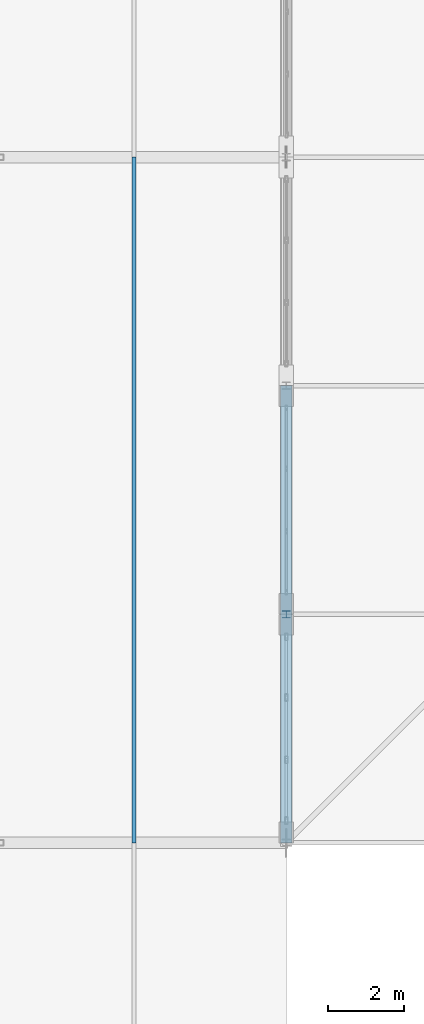
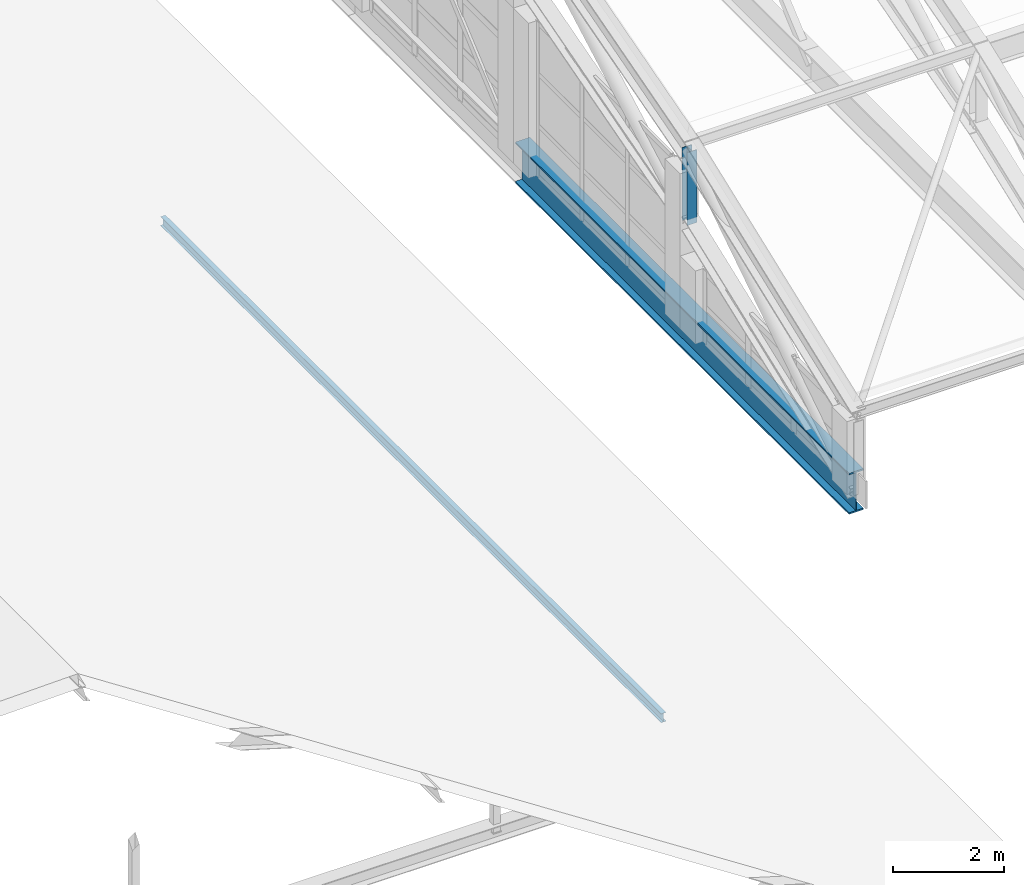
# One storey, part 72 of 204: 3 members.
"""IFC4 building model written with IfcOpenShell, lengths in metres."""

from ifc_helpers import new_model, si_unit, direction, frame, origin, origin_2d, place, context, subcontext, project, spatial, i_section, extrude, material, material_profile, profile_set, type_object, element, save


model = new_model("IFC4")

# Units and contexts
model_context = context("Model", 3, precision=1e-05, world=origin(), true_north=direction((0.0, 1.0)))
body_context = subcontext(model_context, "Body", "Model", "MODEL_VIEW")
ifc_project = project(units=[si_unit("LENGTHUNIT", "METRE"), si_unit("AREAUNIT", "SQUARE_METRE"), si_unit("VOLUMEUNIT", "CUBIC_METRE"), si_unit("PLANEANGLEUNIT", "RADIAN"), si_unit("MASSUNIT", "GRAM", prefix="KILO")], contexts=[model_context])

# Site, building, storey
site_placement = place(None, origin())
site = spatial("IfcSite", under=ifc_project, at=site_placement, CompositionType="ELEMENT")
building_placement = place(site_placement, origin())
building = spatial("IfcBuilding", under=site, at=building_placement, Name="Zilviju Railside Exhibition Hall", CompositionType="ELEMENT")
storey_placement = place(building_placement, frame((0.0, 0.0, 21.0)))
storey = spatial("IfcBuildingStorey", under=building, at=storey_placement, Name="RF", CompositionType="ELEMENT", Elevation=21.0)

# Members
ifc_material_1 = material(Name="Steel S355ML", Category="steel")
ifc_material_profile_1 = material_profile(ifc_material_1, i_section(OverallWidth=0.199951171875, OverallDepth=0.18994140625, WebThickness=0.006591796875, FlangeThickness=0.010009765625, at=origin_2d()), Name="HEA 200")
ifc_profile_set_1 = profile_set([ifc_material_profile_1], Name="Steel S355ML")
member_type_1 = type_object("IfcMemberType", Name="TR-POST-HEA200", PredefinedType="POST", material=ifc_profile_set_1)
member_1_placement = place(storey_placement, frame((78.0, 90.0, -1.30859375), z_axis=(0.0, 0.0, 1.0), x_axis=(1.0, 0.0, 0.0)))
element("IfcMember", 1, at=member_1_placement, inside=storey, type_object=member_type_1, Name="V2 Parabolic Arch Web Post X=78.0 N1", PredefinedType="POST", context=body_context, shape_type="SweptSolid", body=[
    extrude(i_section(OverallWidth=0.199951171875, OverallDepth=0.18994140625, WebThickness=0.006591796875, FlangeThickness=0.010009765625, at=origin_2d()), origin(), (0.0, 0.0, 1.0), 1.599853515625),
])
ifc_material_2 = material(Name="Steel S355J2", Category="steel")
ifc_material_profile_2 = material_profile(ifc_material_2, i_section(OverallWidth=0.10009765625, OverallDepth=0.199951171875, WebThickness=0.005615234375, FlangeThickness=0.008544921875, at=origin_2d()), Name="IPE 200")
ifc_profile_set_2 = profile_set([ifc_material_profile_2], Name="Steel S355J2")
member_type_2 = type_object("IfcMemberType", Name="TR-PUR-IPE200", PredefinedType="PURLIN", material=ifc_profile_set_2)
member_2_placement = place(storey_placement, frame((74.0, 84.0, -7.159912109375), z_axis=(0.0, 1.0, 0.0), x_axis=(-1.0, 0.0, 0.0)))
element("IfcMember", 2, at=member_2_placement, inside=storey, type_object=member_type_2, Name="Concourse Lantern Purlin X=74.0", PredefinedType="PURLIN", context=body_context, shape_type="SweptSolid", body=[
    extrude(i_section(OverallWidth=0.10009765625, OverallDepth=0.199951171875, WebThickness=0.005615234375, FlangeThickness=0.008544921875, at=origin_2d()), origin(), (0.0, 0.0, 1.0), 18.0),
])
ifc_material_profile_3 = material_profile(ifc_material_2, i_section(OverallWidth=0.300048828125, OverallDepth=0.89990234375, WebThickness=0.0185546875, FlangeThickness=0.034912109375, at=origin_2d()), Name="HEB 900")
ifc_profile_set_3 = profile_set([ifc_material_profile_3], Name="Steel S355J2")
member_type_3 = type_object("IfcMemberType", Name="TR-TIE-HEB900", PredefinedType="CHORD", material=ifc_profile_set_3)
member_3_placement = place(storey_placement, frame((78.0, 84.0, -3.60009765625), z_axis=(0.0, 1.0, 0.0), x_axis=(-1.0, 0.0, 0.0)))
element("IfcMember", 3, at=member_3_placement, inside=storey, type_object=member_type_3, Name="V2 Arch Tie Member X=78.0", PredefinedType="CHORD", context=body_context, shape_type="SweptSolid", body=[
    extrude(i_section(OverallWidth=0.300048828125, OverallDepth=0.89990234375, WebThickness=0.0185546875, FlangeThickness=0.034912109375, at=origin_2d()), origin(), (0.0, 0.0, 1.0), 12.0),
])

save(model, "model.ifc")
